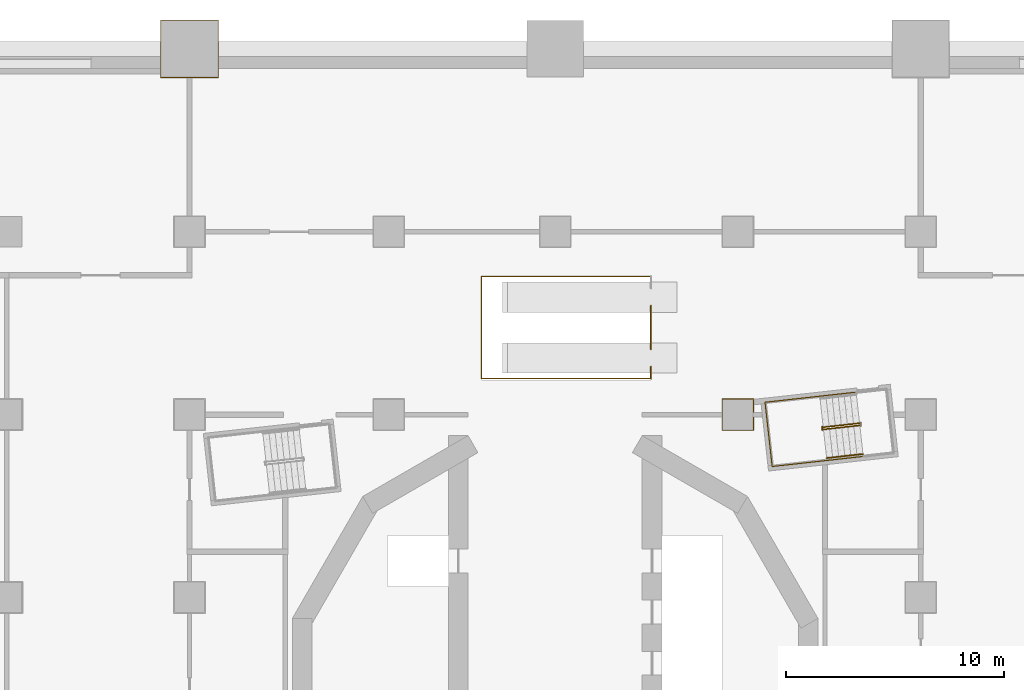
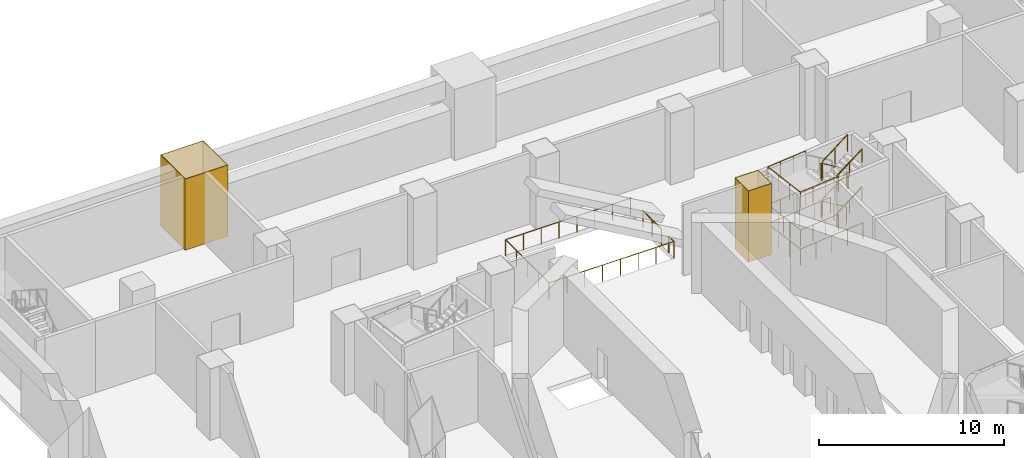
# One storey, part 13 of 18: 12 railings, 2 coverings.
"""IFC4 building model written with IfcOpenShell, lengths in metres."""

from ifc_helpers import new_model, si_unit, direction, frame, origin, origin_2d, place, context, subcontext, project, spatial, polyline, circle, outline, extrude, material, layer, layer_set, type_object, element, save


model = new_model("IFC4")

# Units and contexts
model_context = context("Model", 3, precision=1e-05, world=origin(), true_north=direction((0.0, 1.0)))
body_context = subcontext(model_context, "Body", "Model", "MODEL_VIEW")
ifc_project = project(units=[si_unit("LENGTHUNIT", "METRE"), si_unit("AREAUNIT", "SQUARE_METRE"), si_unit("VOLUMEUNIT", "CUBIC_METRE"), si_unit("PLANEANGLEUNIT", "RADIAN"), si_unit("MASSUNIT", "GRAM", prefix="KILO")], contexts=[model_context])

# Site, building, storey
site_placement = place(None, origin())
site = spatial("IfcSite", under=ifc_project, at=site_placement, CompositionType="ELEMENT")
building_placement = place(site_placement, origin())
building = spatial("IfcBuilding", under=site, at=building_placement, Name="Cantera Rosa Tower", CompositionType="ELEMENT")
storey_placement = place(building_placement, frame((0.0, 0.0, 17.0)))
storey = spatial("IfcBuildingStorey", under=building, at=storey_placement, Name="L02", CompositionType="ELEMENT", Elevation=17.0)

# Coverings
ifc_material_1 = material(Name="Plaster")
ifc_layer = layer(ifc_material_1, 0.030029296875)
ifc_layer_set = layer_set([ifc_layer], Name="Column casing 30")
covering_type = type_object("IfcCoveringType", Name="Column casing 30", PredefinedType="CLADDING", material=ifc_layer_set)
covering_1_placement = place(storey_placement, origin())
element("IfcCovering", 1, at=covering_1_placement, inside=storey, type_object=covering_type, Name="Column casing L02-012", PredefinedType="CLADDING", context=body_context, shape_type="SweptSolid", body=[
    extrude(outline(polyline([(-18.1298828125, 28.070068359375), (-15.469970703125, 28.070068359375), (-15.469970703125, 30.72998046875), (-18.1298828125, 30.72998046875), (-18.1298828125, 28.070068359375)]), holes=[polyline([(-15.5, 30.699951171875), (-18.10009765625, 30.699951171875), (-18.10009765625, 28.10009765625), (-15.5, 28.10009765625), (-15.5, 30.699951171875)])]), origin(), (0.0, 0.0, 1.0), 4.699951171875),
])
covering_2_placement = place(storey_placement, origin())
element("IfcCovering", 2, at=covering_2_placement, inside=storey, type_object=covering_type, Name="Column casing L02-022", PredefinedType="CLADDING", context=body_context, shape_type="SweptSolid", body=[
    extrude(outline(polyline([(7.669921875, 11.8701171875), (9.1298828125, 11.8701171875), (9.1298828125, 13.330078125), (7.669921875, 13.330078125), (7.669921875, 11.8701171875)]), holes=[polyline([(9.10009765625, 13.300048828125), (7.699951171875, 13.300048828125), (7.699951171875, 11.89990234375), (9.10009765625, 11.89990234375), (9.10009765625, 13.300048828125)])]), origin(), (0.0, 0.0, 1.0), 4.699951171875),
])

# Railings
ifc_material_2 = material(Name="Steel S355J2 (EN 10025-2)", Category="steel")
railing_type_1 = type_object("IfcRailingType", Name="STAIR GUARD 1100", PredefinedType="GUARDRAIL", material=ifc_material_2)
railing_1_placement = place(storey_placement, frame((13.986083984375, 12.203125, 0.178466796875)))
element("IfcRailing", 3, at=railing_1_placement, inside=storey, type_object=railing_type_1, Name="L02 ST-11 stair guard 1", PredefinedType="GUARDRAIL", context=body_context, shape_type="SweptSolid", body=[
    extrude(circle(Radius=0.02392578125, at=origin_2d()), frame((0.0, 0.0, 1.076171875), z_axis=(-0.837950904326, -0.092996744609, 0.537763784046), x_axis=(0.110303920128, -0.993897904819, 0.0)), (0.0, 0.0, 1.0), 1.99267578125),
    extrude(circle(Radius=0.02392578125, at=origin_2d()), frame((-1.669677734375, -0.185302734375, 2.1474609375), z_axis=(-0.933456941688, 0.358689472963, 0.0), x_axis=(-0.358689472963, -0.933456941688, 0.0)), (0.0, 0.0, 1.0), 0.056396484375),
    extrude(circle(Radius=0.02392578125, at=origin_2d()), frame((-1.722412109375, -0.1650390625, 2.1474609375), z_axis=(0.110789159685, -0.993843932464, 0.0), x_axis=(0.993843932464, 0.110789159685, 0.0)), (0.0, 0.0, 1.0), 0.14990234375),
    extrude(circle(Radius=0.02099609375, at=origin_2d()), origin(), (0.0, 0.0, 1.0), 1.052001953125),
    extrude(circle(Radius=0.02099609375, at=origin_2d()), frame((-0.8349609375, -0.0927734375, 0.53564453125)), (0.0, 0.0, 1.0), 1.052001953125),
    extrude(circle(Radius=0.02099609375, at=origin_2d()), frame((-1.669677734375, -0.185302734375, 1.071533203125)), (0.0, 0.0, 1.0), 1.052001953125),
    extrude(circle(Radius=0.02099609375, at=origin_2d()), frame((-1.722412109375, -0.1650390625, 1.071533203125)), (0.0, 0.0, 1.0), 1.052001953125),
    extrude(circle(Radius=0.02099609375, at=origin_2d()), frame((-1.705810546875, -0.31396484375, 1.071533203125)), (0.0, 0.0, 1.0), 1.052001953125),
])
railing_2_placement = place(storey_placement, frame((12.3271484375, 11.92041015625, 1.428466796875)))
element("IfcRailing", 4, at=railing_2_placement, inside=storey, type_object=railing_type_1, Name="L02 ST-11 stair guard 2", PredefinedType="GUARDRAIL", context=body_context, shape_type="SweptSolid", body=[
    extrude(circle(Radius=0.02392578125, at=origin_2d()), frame((0.0, 0.0, 1.076171875), z_axis=(0.837950904326, 0.092996744609, 0.537763784046), x_axis=(-0.110303920128, 0.993897904819, 0.0)), (0.0, 0.0, 1.0), 1.99267578125),
    extrude(circle(Radius=0.02392578125, at=origin_2d()), frame((1.669677734375, 0.185302734375, 2.1474609375), z_axis=(0.932897555956, -0.360141847183, 0.0), x_axis=(0.360141847183, 0.932897555956, 0.0)), (0.0, 0.0, 1.0), 0.05615234375),
    extrude(circle(Radius=0.02392578125, at=origin_2d()), frame((1.72216796875, 0.1650390625, 2.1474609375), z_axis=(-0.109179471459, 0.994022053584, 0.0), x_axis=(-0.994022053584, -0.109179471459, 0.0)), (0.0, 0.0, 1.0), 0.14990234375),
    extrude(circle(Radius=0.02099609375, at=origin_2d()), origin(), (0.0, 0.0, 1.0), 1.052001953125),
    extrude(circle(Radius=0.02099609375, at=origin_2d()), frame((0.8349609375, 0.0927734375, 0.53564453125)), (0.0, 0.0, 1.0), 1.052001953125),
    extrude(circle(Radius=0.02099609375, at=origin_2d()), frame((1.669677734375, 0.185302734375, 1.071533203125)), (0.0, 0.0, 1.0), 1.052001953125),
    extrude(circle(Radius=0.02099609375, at=origin_2d()), frame((1.72216796875, 0.1650390625, 1.071533203125)), (0.0, 0.0, 1.0), 1.052001953125),
    extrude(circle(Radius=0.02099609375, at=origin_2d()), frame((1.705810546875, 0.31396484375, 1.071533203125)), (0.0, 0.0, 1.0), 1.052001953125),
])
railing_3_placement = place(storey_placement, frame((13.986083984375, 12.203125, 2.678466796875)))
element("IfcRailing", 5, at=railing_3_placement, inside=storey, type_object=railing_type_1, Name="L02 ST-11 stair guard 3", PredefinedType="GUARDRAIL", context=body_context, shape_type="SweptSolid", body=[
    extrude(circle(Radius=0.02392578125, at=origin_2d()), frame((0.0, 0.0, 1.076171875), z_axis=(-0.837950904326, -0.092996744609, 0.537763784046), x_axis=(0.110303920128, -0.993897904819, 0.0)), (0.0, 0.0, 1.0), 1.99267578125),
    extrude(circle(Radius=0.02392578125, at=origin_2d()), frame((-1.669677734375, -0.185302734375, 2.1474609375), z_axis=(-0.933456941688, 0.358689472963, 0.0), x_axis=(-0.358689472963, -0.933456941688, 0.0)), (0.0, 0.0, 1.0), 0.056396484375),
    extrude(circle(Radius=0.02392578125, at=origin_2d()), frame((-1.722412109375, -0.1650390625, 2.1474609375), z_axis=(0.110789159685, -0.993843932464, 0.0), x_axis=(0.993843932464, 0.110789159685, 0.0)), (0.0, 0.0, 1.0), 0.14990234375),
    extrude(circle(Radius=0.02099609375, at=origin_2d()), origin(), (0.0, 0.0, 1.0), 1.052001953125),
    extrude(circle(Radius=0.02099609375, at=origin_2d()), frame((-0.8349609375, -0.0927734375, 0.53564453125)), (0.0, 0.0, 1.0), 1.052001953125),
    extrude(circle(Radius=0.02099609375, at=origin_2d()), frame((-1.669677734375, -0.185302734375, 1.071533203125)), (0.0, 0.0, 1.0), 1.052001953125),
    extrude(circle(Radius=0.02099609375, at=origin_2d()), frame((-1.722412109375, -0.1650390625, 1.071533203125)), (0.0, 0.0, 1.0), 1.052001953125),
    extrude(circle(Radius=0.02099609375, at=origin_2d()), frame((-1.705810546875, -0.31396484375, 1.071533203125)), (0.0, 0.0, 1.0), 1.052001953125),
])
railing_4_placement = place(storey_placement, frame((12.3271484375, 11.92041015625, 3.928466796875)))
element("IfcRailing", 6, at=railing_4_placement, inside=storey, type_object=railing_type_1, Name="L02 ST-11 stair guard 4", PredefinedType="GUARDRAIL", context=body_context, shape_type="SweptSolid", body=[
    extrude(circle(Radius=0.02392578125, at=origin_2d()), frame((0.0, 0.0, 1.076171875), z_axis=(0.837950904326, 0.092996744609, 0.537763784046), x_axis=(-0.110303920128, 0.993897904819, 0.0)), (0.0, 0.0, 1.0), 1.99267578125),
    extrude(circle(Radius=0.02099609375, at=origin_2d()), origin(), (0.0, 0.0, 1.0), 1.052001953125),
    extrude(circle(Radius=0.02099609375, at=origin_2d()), frame((0.8349609375, 0.0927734375, 0.53564453125)), (0.0, 0.0, 1.0), 1.052001953125),
    extrude(circle(Radius=0.02099609375, at=origin_2d()), frame((1.669677734375, 0.185302734375, 1.071533203125)), (0.0, 0.0, 1.0), 1.052001953125),
])
railing_5_placement = place(storey_placement, frame((13.815673828125, 13.629150390625, 0.0)))
element("IfcRailing", 7, at=railing_5_placement, inside=storey, type_object=railing_type_1, Name="L02 ST-11 stair guard 6", PredefinedType="GUARDRAIL", context=body_context, shape_type="SweptSolid", body=[
    extrude(circle(Radius=0.02392578125, at=origin_2d()), frame((0.0, 0.0, 1.076171875), z_axis=(-0.9938957856, -0.110323013767, 0.0), x_axis=(0.110323013767, -0.9938957856, 0.0)), (0.0, 0.0, 1.0), 4.197998046875),
    extrude(circle(Radius=0.02392578125, at=origin_2d()), frame((-4.17236328125, -0.463134765625, 1.076171875), z_axis=(0.110314237986, -0.993896759678, 0.0), x_axis=(0.993896759678, 0.110314237986, 0.0)), (0.0, 0.0, 1.0), 2.969970703125),
    extrude(circle(Radius=0.02392578125, at=origin_2d()), frame((-3.8447265625, -3.4150390625, 1.076171875), z_axis=(0.9938957856, 0.110323013767, 0.0), x_axis=(-0.110323013767, 0.9938957856, 0.0)), (0.0, 0.0, 1.0), 4.197998046875),
    extrude(circle(Radius=0.02099609375, at=origin_2d()), origin(), (0.0, 0.0, 1.0), 1.052001953125),
    extrude(circle(Radius=0.02099609375, at=origin_2d()), frame((-1.04296875, -0.11572265625, 0.0)), (0.0, 0.0, 1.0), 1.052001953125),
    extrude(circle(Radius=0.02099609375, at=origin_2d()), frame((-2.086181640625, -0.2314453125, 0.0)), (0.0, 0.0, 1.0), 1.052001953125),
    extrude(circle(Radius=0.02099609375, at=origin_2d()), frame((-3.12939453125, -0.347412109375, 0.0)), (0.0, 0.0, 1.0), 1.052001953125),
    extrude(circle(Radius=0.02099609375, at=origin_2d()), frame((-4.17236328125, -0.463134765625, 0.0)), (0.0, 0.0, 1.0), 1.052001953125),
    extrude(circle(Radius=0.02099609375, at=origin_2d()), frame((-4.063232421875, -1.447021484375, 0.0)), (0.0, 0.0, 1.0), 1.052001953125),
    extrude(circle(Radius=0.02099609375, at=origin_2d()), frame((-3.953857421875, -2.43115234375, 0.0)), (0.0, 0.0, 1.0), 1.052001953125),
    extrude(circle(Radius=0.02099609375, at=origin_2d()), frame((-3.8447265625, -3.4150390625, 0.0)), (0.0, 0.0, 1.0), 1.052001953125),
    extrude(circle(Radius=0.02099609375, at=origin_2d()), frame((-2.8017578125, -3.29931640625, 0.0)), (0.0, 0.0, 1.0), 1.052001953125),
    extrude(circle(Radius=0.02099609375, at=origin_2d()), frame((-1.758544921875, -3.18359375, 0.0)), (0.0, 0.0, 1.0), 1.052001953125),
    extrude(circle(Radius=0.02099609375, at=origin_2d()), frame((-0.71533203125, -3.067626953125, 0.0)), (0.0, 0.0, 1.0), 1.052001953125),
    extrude(circle(Radius=0.02099609375, at=origin_2d()), frame((0.32763671875, -2.951904296875, 0.0)), (0.0, 0.0, 1.0), 1.052001953125),
])
railing_6_placement = place(storey_placement, frame((12.169921875, 13.4462890625, 1.25)))
element("IfcRailing", 8, at=railing_6_placement, inside=storey, type_object=railing_type_1, Name="L02 ST-11 stair guard 7", PredefinedType="GUARDRAIL", context=body_context, shape_type="SweptSolid", body=[
    extrude(circle(Radius=0.02392578125, at=origin_2d()), frame((0.0, 0.0, 1.076171875), z_axis=(-0.993903628964, -0.110252330278, 0.0), x_axis=(0.110252330278, -0.993903628964, 0.0)), (0.0, 0.0, 1.0), 2.5419921875),
    extrude(circle(Radius=0.02392578125, at=origin_2d()), frame((-2.526611328125, -0.2802734375, 1.076171875), z_axis=(0.110314237986, -0.993896759678, 0.0), x_axis=(0.993896759678, 0.110314237986, 0.0)), (0.0, 0.0, 1.0), 2.969970703125),
    extrude(circle(Radius=0.02392578125, at=origin_2d()), frame((-2.198974609375, -3.232177734375, 1.076171875), z_axis=(0.993903628964, 0.110252330278, 0.0), x_axis=(-0.110252330278, 0.993903628964, 0.0)), (0.0, 0.0, 1.0), 2.5419921875),
    extrude(circle(Radius=0.02099609375, at=origin_2d()), origin(), (0.0, 0.0, 1.0), 1.052001953125),
    extrude(circle(Radius=0.02099609375, at=origin_2d()), frame((-0.84228515625, -0.093505859375, 0.0)), (0.0, 0.0, 1.0), 1.052001953125),
    extrude(circle(Radius=0.02099609375, at=origin_2d()), frame((-1.684326171875, -0.186767578125, 0.0)), (0.0, 0.0, 1.0), 1.052001953125),
    extrude(circle(Radius=0.02099609375, at=origin_2d()), frame((-2.526611328125, -0.2802734375, 0.0)), (0.0, 0.0, 1.0), 1.052001953125),
    extrude(circle(Radius=0.02099609375, at=origin_2d()), frame((-2.41748046875, -1.26416015625, 0.0)), (0.0, 0.0, 1.0), 1.052001953125),
    extrude(circle(Radius=0.02099609375, at=origin_2d()), frame((-2.30810546875, -2.248291015625, 0.0)), (0.0, 0.0, 1.0), 1.052001953125),
    extrude(circle(Radius=0.02099609375, at=origin_2d()), frame((-2.198974609375, -3.232177734375, 0.0)), (0.0, 0.0, 1.0), 1.052001953125),
    extrude(circle(Radius=0.02099609375, at=origin_2d()), frame((-1.356689453125, -3.138671875, 0.0)), (0.0, 0.0, 1.0), 1.052001953125),
    extrude(circle(Radius=0.02099609375, at=origin_2d()), frame((-0.5146484375, -3.04541015625, 0.0)), (0.0, 0.0, 1.0), 1.052001953125),
    extrude(circle(Radius=0.02099609375, at=origin_2d()), frame((0.32763671875, -2.951904296875, 0.0)), (0.0, 0.0, 1.0), 1.052001953125),
])
railing_7_placement = place(storey_placement, frame((12.169921875, 13.4462890625, 3.75)))
element("IfcRailing", 9, at=railing_7_placement, inside=storey, type_object=railing_type_1, Name="L02 ST-11 stair guard 9", PredefinedType="GUARDRAIL", context=body_context, shape_type="SweptSolid", body=[
    extrude(circle(Radius=0.02392578125, at=origin_2d()), frame((0.0, 0.0, 1.076171875), z_axis=(-0.993903628964, -0.110252330278, 0.0), x_axis=(0.110252330278, -0.993903628964, 0.0)), (0.0, 0.0, 1.0), 2.5419921875),
    extrude(circle(Radius=0.02392578125, at=origin_2d()), frame((-2.526611328125, -0.2802734375, 1.076171875), z_axis=(0.110314237986, -0.993896759678, 0.0), x_axis=(0.993896759678, 0.110314237986, 0.0)), (0.0, 0.0, 1.0), 2.969970703125),
    extrude(circle(Radius=0.02392578125, at=origin_2d()), frame((-2.198974609375, -3.232177734375, 1.076171875), z_axis=(0.993903628964, 0.110252330278, 0.0), x_axis=(-0.110252330278, 0.993903628964, 0.0)), (0.0, 0.0, 1.0), 2.5419921875),
    extrude(circle(Radius=0.02099609375, at=origin_2d()), origin(), (0.0, 0.0, 1.0), 1.052001953125),
    extrude(circle(Radius=0.02099609375, at=origin_2d()), frame((-0.84228515625, -0.093505859375, 0.0)), (0.0, 0.0, 1.0), 1.052001953125),
    extrude(circle(Radius=0.02099609375, at=origin_2d()), frame((-1.684326171875, -0.186767578125, 0.0)), (0.0, 0.0, 1.0), 1.052001953125),
    extrude(circle(Radius=0.02099609375, at=origin_2d()), frame((-2.526611328125, -0.2802734375, 0.0)), (0.0, 0.0, 1.0), 1.052001953125),
    extrude(circle(Radius=0.02099609375, at=origin_2d()), frame((-2.41748046875, -1.26416015625, 0.0)), (0.0, 0.0, 1.0), 1.052001953125),
    extrude(circle(Radius=0.02099609375, at=origin_2d()), frame((-2.30810546875, -2.248291015625, 0.0)), (0.0, 0.0, 1.0), 1.052001953125),
    extrude(circle(Radius=0.02099609375, at=origin_2d()), frame((-2.198974609375, -3.232177734375, 0.0)), (0.0, 0.0, 1.0), 1.052001953125),
    extrude(circle(Radius=0.02099609375, at=origin_2d()), frame((-1.356689453125, -3.138671875, 0.0)), (0.0, 0.0, 1.0), 1.052001953125),
    extrude(circle(Radius=0.02099609375, at=origin_2d()), frame((-0.5146484375, -3.04541015625, 0.0)), (0.0, 0.0, 1.0), 1.052001953125),
    extrude(circle(Radius=0.02099609375, at=origin_2d()), frame((0.32763671875, -2.951904296875, 0.0)), (0.0, 0.0, 1.0), 1.052001953125),
])
ifc_material_3 = material(Name="Steel S355J2 (EN 10025-2)", Category="steel")
railing_type_2 = type_object("IfcRailingType", Name="STAIR HANDRAIL 900", PredefinedType="HANDRAIL", material=ifc_material_3)
for number, where, name in (
    (10, (12.473388671875, 10.6025390625, 1.428466796875), "L02 ST-11 stair handrail 2"),
    (11, (12.473388671875, 10.6025390625, 3.928466796875), "L02 ST-11 stair handrail 4"),
):
    element("IfcRailing", number, at=place(storey_placement, frame(where)), inside=storey, type_object=railing_type_2, Name=name, PredefinedType="HANDRAIL", context=body_context, shape_type="SweptSolid", body=[
        extrude(circle(Radius=0.02392578125, at=origin_2d()), frame((0.0, 0.0, 0.8759765625), z_axis=(0.837950904326, 0.092996744609, 0.537763784046), x_axis=(-0.110303920128, 0.993897904819, 0.0)), (0.0, 0.0, 1.0), 1.99267578125),
        extrude(circle(Radius=0.02099609375, at=origin_2d()), origin(), (0.0, 0.0, 1.0), 0.851806640625),
        extrude(circle(Radius=0.02099609375, at=origin_2d()), frame((0.8349609375, 0.0927734375, 0.53564453125)), (0.0, 0.0, 1.0), 0.851806640625),
        extrude(circle(Radius=0.02099609375, at=origin_2d()), frame((1.669677734375, 0.185302734375, 1.071533203125)), (0.0, 0.0, 1.0), 0.851806640625),
    ])
ifc_material_4 = material(Name="Steel S355J2 (EN 10025-2)", Category="steel")
railing_type_3 = type_object("IfcRailingType", Name="Well guard 1100", PredefinedType="GUARDRAIL", material=ifc_material_4)
railing_8_placement = place(storey_placement, frame((4.39990234375, 14.25, 0.0)))
element("IfcRailing", 12, at=railing_8_placement, inside=storey, type_object=railing_type_3, Name="Guard at the top of escalator well L02", PredefinedType="GUARDRAIL", context=body_context, shape_type="SweptSolid", body=[
    extrude(circle(Radius=0.02392578125, at=origin_2d()), frame((0.0, 0.0, 1.076171875), z_axis=(0.0, 1.0, 0.0), x_axis=(-1.0, 0.0, 0.0)), (0.0, 0.0, 1.0), 0.550048828125),
    extrude(circle(Radius=0.02099609375, at=origin_2d()), origin(), (0.0, 0.0, 1.0), 1.052001953125),
    extrude(circle(Radius=0.02099609375, at=origin_2d()), frame((0.0, 0.550048828125, 0.0)), (0.0, 0.0, 1.0), 1.052001953125),
])
railing_9_placement = place(storey_placement, frame((4.39990234375, 15.60009765625, 0.0)))
element("IfcRailing", 13, at=railing_9_placement, inside=storey, type_object=railing_type_3, Name="Guard at the top of escalator well L02", PredefinedType="GUARDRAIL", context=body_context, shape_type="SweptSolid", body=[
    extrude(circle(Radius=0.02392578125, at=origin_2d()), frame((0.0, 0.0, 1.076171875), z_axis=(0.0, 1.0, 0.0), x_axis=(-1.0, 0.0, 0.0)), (0.0, 0.0, 1.0), 2.0),
    extrude(circle(Radius=0.02099609375, at=origin_2d()), origin(), (0.0, 0.0, 1.0), 1.052001953125),
    extrude(circle(Radius=0.02099609375, at=origin_2d()), frame((0.0, 1.0, 0.0)), (0.0, 0.0, 1.0), 1.052001953125),
    extrude(circle(Radius=0.02099609375, at=origin_2d()), frame((0.0, 2.0, 0.0)), (0.0, 0.0, 1.0), 1.052001953125),
])
railing_10_placement = place(storey_placement, frame((4.39990234375, 14.25, 0.0)))
element("IfcRailing", 14, at=railing_10_placement, inside=storey, type_object=railing_type_3, Name="Guard round escalator well L02", PredefinedType="GUARDRAIL", context=body_context, shape_type="SweptSolid", body=[
    extrude(circle(Radius=0.02392578125, at=origin_2d()), frame((0.0, 0.0, 1.076171875), z_axis=(-1.0, 0.0, 0.0), x_axis=(0.0, -1.0, 0.0)), (0.0, 0.0, 1.0), 7.7939453125),
    extrude(circle(Radius=0.02392578125, at=origin_2d()), frame((-7.7939453125, 0.0, 1.076171875), z_axis=(0.0, 1.0, 0.0), x_axis=(-1.0, 0.0, 0.0)), (0.0, 0.0, 1.0), 4.699951171875),
    extrude(circle(Radius=0.02392578125, at=origin_2d()), frame((-7.7939453125, 4.699951171875, 1.076171875), z_axis=(1.0, 0.0, 0.0), x_axis=(0.0, 1.0, 0.0)), (0.0, 0.0, 1.0), 7.7939453125),
    extrude(circle(Radius=0.02099609375, at=origin_2d()), origin(), (0.0, 0.0, 1.0), 1.052001953125),
    extrude(circle(Radius=0.02099609375, at=origin_2d()), frame((-1.113525390625, 0.0, 0.0)), (0.0, 0.0, 1.0), 1.052001953125),
    extrude(circle(Radius=0.02099609375, at=origin_2d()), frame((-2.226806640625, 0.0, 0.0)), (0.0, 0.0, 1.0), 1.052001953125),
    extrude(circle(Radius=0.02099609375, at=origin_2d()), frame((-3.34033203125, 0.0, 0.0)), (0.0, 0.0, 1.0), 1.052001953125),
    extrude(circle(Radius=0.02099609375, at=origin_2d()), frame((-4.45361328125, 0.0, 0.0)), (0.0, 0.0, 1.0), 1.052001953125),
    extrude(circle(Radius=0.02099609375, at=origin_2d()), frame((-5.567138671875, 0.0, 0.0)), (0.0, 0.0, 1.0), 1.052001953125),
    extrude(circle(Radius=0.02099609375, at=origin_2d()), frame((-6.680419921875, 0.0, 0.0)), (0.0, 0.0, 1.0), 1.052001953125),
    extrude(circle(Radius=0.02099609375, at=origin_2d()), frame((-7.7939453125, 0.0, 0.0)), (0.0, 0.0, 1.0), 1.052001953125),
    extrude(circle(Radius=0.02099609375, at=origin_2d()), frame((-7.7939453125, 1.175048828125, 0.0)), (0.0, 0.0, 1.0), 1.052001953125),
    extrude(circle(Radius=0.02099609375, at=origin_2d()), frame((-7.7939453125, 2.35009765625, 0.0)), (0.0, 0.0, 1.0), 1.052001953125),
    extrude(circle(Radius=0.02099609375, at=origin_2d()), frame((-7.7939453125, 3.52490234375, 0.0)), (0.0, 0.0, 1.0), 1.052001953125),
    extrude(circle(Radius=0.02099609375, at=origin_2d()), frame((-7.7939453125, 4.699951171875, 0.0)), (0.0, 0.0, 1.0), 1.052001953125),
    extrude(circle(Radius=0.02099609375, at=origin_2d()), frame((-6.680419921875, 4.699951171875, 0.0)), (0.0, 0.0, 1.0), 1.052001953125),
    extrude(circle(Radius=0.02099609375, at=origin_2d()), frame((-5.567138671875, 4.699951171875, 0.0)), (0.0, 0.0, 1.0), 1.052001953125),
    extrude(circle(Radius=0.02099609375, at=origin_2d()), frame((-4.45361328125, 4.699951171875, 0.0)), (0.0, 0.0, 1.0), 1.052001953125),
    extrude(circle(Radius=0.02099609375, at=origin_2d()), frame((-3.34033203125, 4.699951171875, 0.0)), (0.0, 0.0, 1.0), 1.052001953125),
    extrude(circle(Radius=0.02099609375, at=origin_2d()), frame((-2.226806640625, 4.699951171875, 0.0)), (0.0, 0.0, 1.0), 1.052001953125),
    extrude(circle(Radius=0.02099609375, at=origin_2d()), frame((-1.113525390625, 4.699951171875, 0.0)), (0.0, 0.0, 1.0), 1.052001953125),
    extrude(circle(Radius=0.02099609375, at=origin_2d()), frame((0.0, 4.699951171875, 0.0)), (0.0, 0.0, 1.0), 1.052001953125),
])

save(model, "model.ifc")
